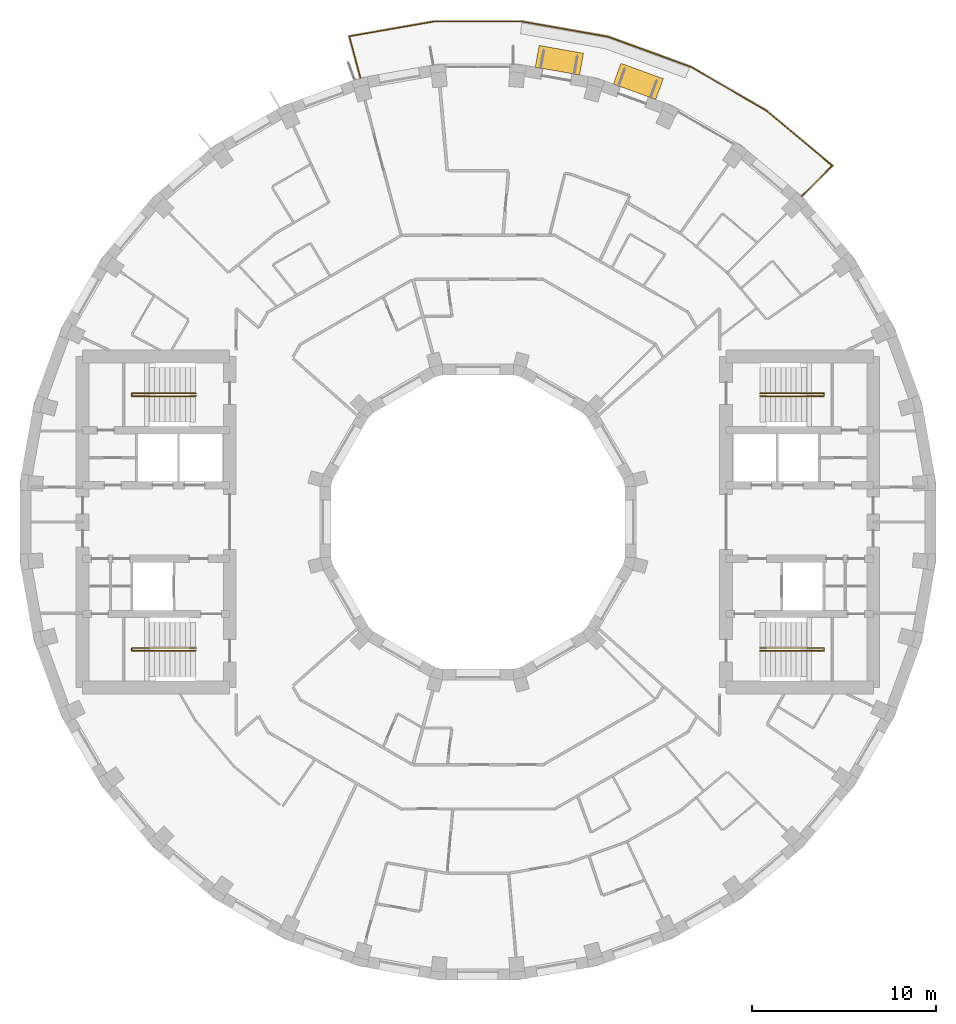
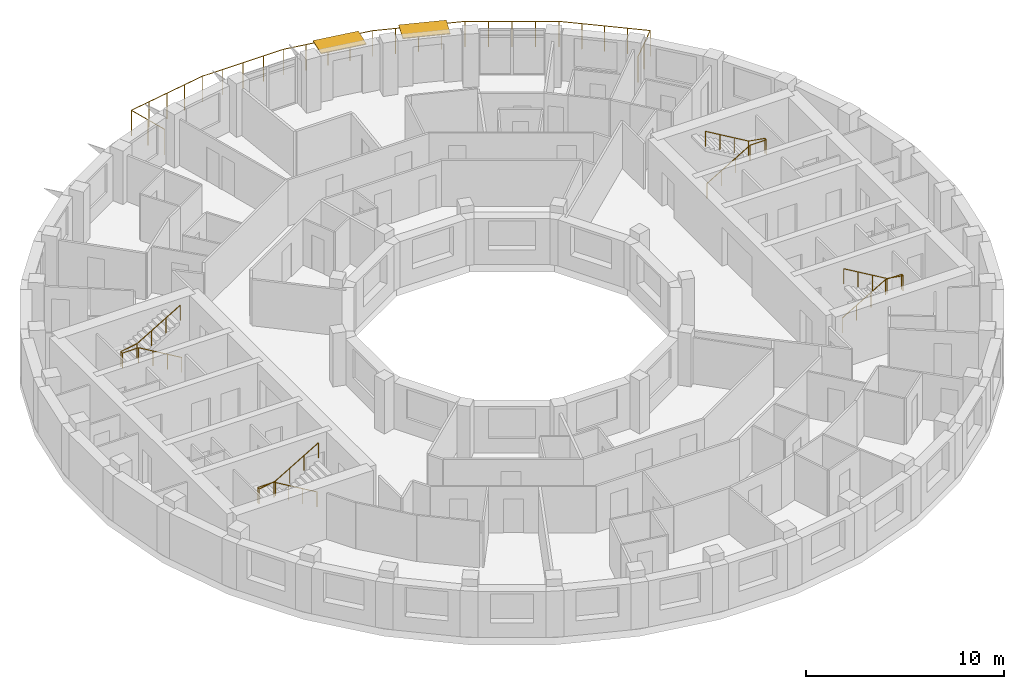
# One storey, part 13 of 13: 5 railings, 2 shading devices.
"""IFC4 building model written with IfcOpenShell, lengths in metres."""

from ifc_helpers import new_model, si_unit, direction, frame, origin, origin_2d, place, context, subcontext, project, spatial, rectangle, circle, extrude, material, layer, layer_set, type_object, element, save


model = new_model("IFC4")

# Units and contexts
model_context = context("Model", 3, precision=1e-05, world=origin(), true_north=direction((0.0, 1.0)))
body_context = subcontext(model_context, "Body", "Model", "MODEL_VIEW")
ifc_project = project(units=[si_unit("LENGTHUNIT", "METRE"), si_unit("AREAUNIT", "SQUARE_METRE"), si_unit("VOLUMEUNIT", "CUBIC_METRE"), si_unit("PLANEANGLEUNIT", "RADIAN"), si_unit("MASSUNIT", "GRAM", prefix="KILO")], contexts=[model_context])

# Site, building, storey
site_placement = place(None, origin())
site = spatial("IfcSite", under=ifc_project, at=site_placement, CompositionType="ELEMENT")
building_placement = place(site_placement, origin())
building = spatial("IfcBuilding", under=site, at=building_placement, Name="Saqina Gate Tower", CompositionType="ELEMENT")
storey_placement = place(building_placement, frame((0.0, 0.0, 207.0)))
storey = spatial("IfcBuildingStorey", under=building, at=storey_placement, Name="L59", CompositionType="ELEMENT", Elevation=207.0)

# Shading devices
ifc_material_1 = material(Name="Aluminium and fabric awning", Category="aluminium")
ifc_layer = layer(ifc_material_1, 0.050048828125)
ifc_layer_set = layer_set([ifc_layer], Name="AW-TERRACE")
shading_device_type = type_object("IfcShadingDeviceType", Name="AW-TERRACE", PredefinedType="AWNING", material=ifc_layer_set)
for number, where, z_axis, x_axis, name in (
    (1, (8.72314453125, 23.966796875, 2.52490234375), (0.0, 0.0, 1.0), (-0.939692620786, 0.342020143326, 0.0), "Terrace awning L59 facet 7"),
    (2, (4.428955078125, 25.117431640625, 2.52490234375), (0.0, 0.0, 1.0), (-0.984807753012, 0.173648177667, 0.0), "Terrace awning L59 facet 8"),
):
    element("IfcShadingDevice", number, at=place(storey_placement, frame(where, z_axis=z_axis, x_axis=x_axis)), inside=storey, type_object=shading_device_type, Name=name, PredefinedType="AWNING", context=body_context, shape_type="SweptSolid", body=[
        extrude(rectangle(XDim=2.44970703125, YDim=1.199951171875, at=origin_2d()), origin(), (0.0, 0.0, 1.0), 0.050048828125),
    ])

# Railings
ifc_material_2 = material(Name="Stainless steel", Category="steel")
railing_type_1 = type_object("IfcRailingType", Name="RL-TERRACE", PredefinedType="GUARDRAIL", material=ifc_material_2)
railing_1_placement = place(storey_placement, frame((17.57861328125, 17.69189453125, 0.0)))
element("IfcRailing", 3, at=railing_1_placement, inside=storey, type_object=railing_type_1, Name="Terrace guard L59", PredefinedType="GUARDRAIL", context=body_context, shape_type="SweptSolid", body=[
    extrude(circle(Radius=0.02392578125, at=origin_2d()), frame((0.0, 0.0, 1.576171875), z_axis=(0.707106781187, 0.707106781187, 0.0), x_axis=(-0.707106781187, 0.707106781187, 0.0)), (0.0, 0.0, 1.0), 2.388916015625),
    extrude(circle(Radius=0.02392578125, at=origin_2d()), frame((1.689208984375, 1.689208984375, 1.576171875), z_axis=(-0.767002243016, 0.641644418045, 0.0), x_axis=(-0.641644418045, -0.767002243016, 0.0)), (0.0, 0.0, 1.0), 4.683837890625),
    extrude(circle(Radius=0.02392578125, at=origin_2d()), frame((-1.9033203125, 4.694580078125, 1.576171875), z_axis=(-0.866026842905, 0.499997507361, 0.0), x_axis=(-0.499997507361, -0.866026842905, 0.0)), (0.0, 0.0, 1.0), 4.763671875),
    extrude(circle(Radius=0.02392578125, at=origin_2d()), frame((-6.02880859375, 7.076416015625, 1.576171875), z_axis=(-0.939688638318, 0.342031084868, 0.0), x_axis=(-0.342031084868, -0.939688638318, 0.0)), (0.0, 0.0, 1.0), 4.763916015625),
    extrude(circle(Radius=0.02392578125, at=origin_2d()), frame((-10.50537109375, 8.705810546875, 1.576171875), z_axis=(-0.98481037568, 0.173633303123, 0.0), x_axis=(-0.173633303123, -0.98481037568, 0.0)), (0.0, 0.0, 1.0), 4.763671875),
    extrude(circle(Radius=0.02392578125, at=origin_2d()), frame((-15.19677734375, 9.532958984375, 1.576171875), z_axis=(-1.0, 0.0, 0.0), x_axis=(0.0, -1.0, 0.0)), (0.0, 0.0, 1.0), 4.763671875),
    extrude(circle(Radius=0.02392578125, at=origin_2d()), frame((-19.96044921875, 9.532958984375, 1.576171875), z_axis=(-0.985070265823, -0.17215275598, 0.0), x_axis=(0.17215275598, -0.985070265823, 0.0)), (0.0, 0.0, 1.0), 4.68408203125),
    extrude(circle(Radius=0.02392578125, at=origin_2d()), frame((-24.57470703125, 8.7265625, 1.576171875), z_axis=(0.258851866296, -0.965917031279, 0.0), x_axis=(0.965917031279, 0.258851866296, 0.0)), (0.0, 0.0, 1.0), 2.38916015625),
    extrude(circle(Radius=0.02099609375, at=origin_2d()), origin(), (0.0, 0.0, 1.0), 1.552001953125),
    extrude(circle(Radius=0.02099609375, at=origin_2d()), frame((0.8447265625, 0.8447265625, 0.0)), (0.0, 0.0, 1.0), 1.552001953125),
    extrude(circle(Radius=0.02099609375, at=origin_2d()), frame((1.689208984375, 1.689208984375, 0.0)), (0.0, 0.0, 1.0), 1.552001953125),
    extrude(circle(Radius=0.02099609375, at=origin_2d()), frame((0.791015625, 2.4404296875, 0.0)), (0.0, 0.0, 1.0), 1.552001953125),
    extrude(circle(Radius=0.02099609375, at=origin_2d()), frame((-0.10693359375, 3.19189453125, 0.0)), (0.0, 0.0, 1.0), 1.552001953125),
    extrude(circle(Radius=0.02099609375, at=origin_2d()), frame((-1.005126953125, 3.943359375, 0.0)), (0.0, 0.0, 1.0), 1.552001953125),
    extrude(circle(Radius=0.02099609375, at=origin_2d()), frame((-1.9033203125, 4.694580078125, 0.0)), (0.0, 0.0, 1.0), 1.552001953125),
    extrude(circle(Radius=0.02099609375, at=origin_2d()), frame((-2.9345703125, 5.2900390625, 0.0)), (0.0, 0.0, 1.0), 1.552001953125),
    extrude(circle(Radius=0.02099609375, at=origin_2d()), frame((-3.966064453125, 5.885498046875, 0.0)), (0.0, 0.0, 1.0), 1.552001953125),
    extrude(circle(Radius=0.02099609375, at=origin_2d()), frame((-4.99755859375, 6.48095703125, 0.0)), (0.0, 0.0, 1.0), 1.552001953125),
    extrude(circle(Radius=0.02099609375, at=origin_2d()), frame((-6.02880859375, 7.076416015625, 0.0)), (0.0, 0.0, 1.0), 1.552001953125),
    extrude(circle(Radius=0.02099609375, at=origin_2d()), frame((-7.14794921875, 7.48388671875, 0.0)), (0.0, 0.0, 1.0), 1.552001953125),
    extrude(circle(Radius=0.02099609375, at=origin_2d()), frame((-8.26708984375, 7.89111328125, 0.0)), (0.0, 0.0, 1.0), 1.552001953125),
    extrude(circle(Radius=0.02099609375, at=origin_2d()), frame((-9.38623046875, 8.29833984375, 0.0)), (0.0, 0.0, 1.0), 1.552001953125),
    extrude(circle(Radius=0.02099609375, at=origin_2d()), frame((-10.50537109375, 8.705810546875, 0.0)), (0.0, 0.0, 1.0), 1.552001953125),
    extrude(circle(Radius=0.02099609375, at=origin_2d()), frame((-11.67822265625, 8.91259765625, 0.0)), (0.0, 0.0, 1.0), 1.552001953125),
    extrude(circle(Radius=0.02099609375, at=origin_2d()), frame((-12.85107421875, 9.119384765625, 0.0)), (0.0, 0.0, 1.0), 1.552001953125),
    extrude(circle(Radius=0.02099609375, at=origin_2d()), frame((-14.02392578125, 9.326171875, 0.0)), (0.0, 0.0, 1.0), 1.552001953125),
    extrude(circle(Radius=0.02099609375, at=origin_2d()), frame((-15.19677734375, 9.532958984375, 0.0)), (0.0, 0.0, 1.0), 1.552001953125),
    extrude(circle(Radius=0.02099609375, at=origin_2d()), frame((-16.3876953125, 9.532958984375, 0.0)), (0.0, 0.0, 1.0), 1.552001953125),
    extrude(circle(Radius=0.02099609375, at=origin_2d()), frame((-17.57861328125, 9.532958984375, 0.0)), (0.0, 0.0, 1.0), 1.552001953125),
    extrude(circle(Radius=0.02099609375, at=origin_2d()), frame((-18.76953125, 9.532958984375, 0.0)), (0.0, 0.0, 1.0), 1.552001953125),
    extrude(circle(Radius=0.02099609375, at=origin_2d()), frame((-19.96044921875, 9.532958984375, 0.0)), (0.0, 0.0, 1.0), 1.552001953125),
    extrude(circle(Radius=0.02099609375, at=origin_2d()), frame((-21.114013671875, 9.331298828125, 0.0)), (0.0, 0.0, 1.0), 1.552001953125),
    extrude(circle(Radius=0.02099609375, at=origin_2d()), frame((-22.267578125, 9.1298828125, 0.0)), (0.0, 0.0, 1.0), 1.552001953125),
    extrude(circle(Radius=0.02099609375, at=origin_2d()), frame((-23.421142578125, 8.92822265625, 0.0)), (0.0, 0.0, 1.0), 1.552001953125),
    extrude(circle(Radius=0.02099609375, at=origin_2d()), frame((-24.57470703125, 8.7265625, 0.0)), (0.0, 0.0, 1.0), 1.552001953125),
    extrude(circle(Radius=0.02099609375, at=origin_2d()), frame((-24.265625, 7.57275390625, 0.0)), (0.0, 0.0, 1.0), 1.552001953125),
    extrude(circle(Radius=0.02099609375, at=origin_2d()), frame((-23.956298828125, 6.4189453125, 0.0)), (0.0, 0.0, 1.0), 1.552001953125),
])
ifc_material_3 = material(Name="Stainless steel", Category="steel")
railing_type_2 = type_object("IfcRailingType", Name="STAIR HANDRAIL", PredefinedType="HANDRAIL", material=ifc_material_3)
railing_2_placement = place(storey_placement, frame((15.35009765625, 6.85009765625, 0.1650390625)))
element("IfcRailing", 4, at=railing_2_placement, inside=storey, type_object=railing_type_2, Name="EXIT STAIR 1 HANDRAIL", PredefinedType="HANDRAIL", context=body_context, shape_type="SweptSolid", body=[
    extrude(circle(Radius=0.02392578125, at=origin_2d()), frame((0.0, 0.0, 0.92578125), z_axis=(0.861560626758, 0.0, 0.507654692109), x_axis=(0.0, 1.0, 0.0)), (0.0, 0.0, 1.0), 2.925048828125),
    extrude(circle(Radius=0.02392578125, at=origin_2d()), frame((2.52001953125, 0.0, 2.41064453125), z_axis=(1.0, 0.0, 0.0), x_axis=(0.0, 1.0, 0.0)), (0.0, 0.0, 1.0), 0.949951171875),
    extrude(circle(Radius=0.02392578125, at=origin_2d()), frame((3.469970703125, 0.0, 2.41064453125), z_axis=(0.0, 1.0, 0.0), x_axis=(-1.0, 0.0, 0.0)), (0.0, 0.0, 1.0), 0.14990234375),
    extrude(circle(Radius=0.02392578125, at=origin_2d()), frame((3.469970703125, 0.14990234375, 2.41064453125), z_axis=(-0.985241474778, 0.0, 0.171170197109), x_axis=(0.0, -1.0, 0.0)), (0.0, 0.0, 1.0), 0.964111328125),
    extrude(circle(Radius=0.02392578125, at=origin_2d()), frame((2.52001953125, 0.14990234375, 2.57568359375), z_axis=(-0.86152411907, 0.0, 0.507716645641), x_axis=(0.0, -1.0, 0.0)), (0.0, 0.0, 1.0), 2.925048828125),
    extrude(circle(Radius=0.02099609375, at=origin_2d()), origin(), (0.0, 0.0, 1.0), 0.90185546875),
    extrude(circle(Radius=0.02099609375, at=origin_2d()), frame((0.840087890625, 0.0, 0.494873046875)), (0.0, 0.0, 1.0), 0.90185546875),
    extrude(circle(Radius=0.02099609375, at=origin_2d()), frame((1.679931640625, 0.0, 0.989990234375)), (0.0, 0.0, 1.0), 0.90185546875),
    extrude(circle(Radius=0.02099609375, at=origin_2d()), frame((2.52001953125, 0.0, 1.48486328125)), (0.0, 0.0, 1.0), 0.90185546875),
    extrude(circle(Radius=0.02099609375, at=origin_2d()), frame((3.469970703125, 0.0, 1.48486328125)), (0.0, 0.0, 1.0), 0.90185546875),
    extrude(circle(Radius=0.02099609375, at=origin_2d()), frame((3.469970703125, 0.14990234375, 1.48486328125)), (0.0, 0.0, 1.0), 0.90185546875),
    extrude(circle(Radius=0.02099609375, at=origin_2d()), frame((2.52001953125, 0.14990234375, 1.64990234375)), (0.0, 0.0, 1.0), 0.90185546875),
    extrude(circle(Radius=0.02099609375, at=origin_2d()), frame((1.679931640625, 0.14990234375, 2.14501953125)), (0.0, 0.0, 1.0), 0.90185546875),
    extrude(circle(Radius=0.02099609375, at=origin_2d()), frame((0.840087890625, 0.14990234375, 2.639892578125)), (0.0, 0.0, 1.0), 0.90185546875),
    extrude(circle(Radius=0.02099609375, at=origin_2d()), frame((0.0, 0.14990234375, 3.135009765625)), (0.0, 0.0, 1.0), 0.90185546875),
])
railing_3_placement = place(storey_placement, frame((15.35009765625, -6.85009765625, 0.1650390625)))
element("IfcRailing", 5, at=railing_3_placement, inside=storey, type_object=railing_type_2, Name="EXIT STAIR 2 HANDRAIL", PredefinedType="HANDRAIL", context=body_context, shape_type="SweptSolid", body=[
    extrude(circle(Radius=0.02392578125, at=origin_2d()), frame((0.0, 0.0, 0.92578125), z_axis=(0.861560626758, 0.0, 0.507654692109), x_axis=(0.0, 1.0, 0.0)), (0.0, 0.0, 1.0), 2.925048828125),
    extrude(circle(Radius=0.02392578125, at=origin_2d()), frame((2.52001953125, 0.0, 2.41064453125), z_axis=(1.0, 0.0, 0.0), x_axis=(0.0, 1.0, 0.0)), (0.0, 0.0, 1.0), 0.949951171875),
    extrude(circle(Radius=0.02392578125, at=origin_2d()), frame((3.469970703125, 0.0, 2.41064453125), z_axis=(0.0, -1.0, 0.0), x_axis=(1.0, 0.0, 0.0)), (0.0, 0.0, 1.0), 0.14990234375),
    extrude(circle(Radius=0.02392578125, at=origin_2d()), frame((3.469970703125, -0.14990234375, 2.41064453125), z_axis=(-0.985241474778, 0.0, 0.171170197109), x_axis=(0.0, -1.0, 0.0)), (0.0, 0.0, 1.0), 0.964111328125),
    extrude(circle(Radius=0.02392578125, at=origin_2d()), frame((2.52001953125, -0.14990234375, 2.57568359375), z_axis=(-0.86152411907, 0.0, 0.507716645641), x_axis=(0.0, -1.0, 0.0)), (0.0, 0.0, 1.0), 2.925048828125),
    extrude(circle(Radius=0.02099609375, at=origin_2d()), origin(), (0.0, 0.0, 1.0), 0.90185546875),
    extrude(circle(Radius=0.02099609375, at=origin_2d()), frame((0.840087890625, 0.0, 0.494873046875)), (0.0, 0.0, 1.0), 0.90185546875),
    extrude(circle(Radius=0.02099609375, at=origin_2d()), frame((1.679931640625, 0.0, 0.989990234375)), (0.0, 0.0, 1.0), 0.90185546875),
    extrude(circle(Radius=0.02099609375, at=origin_2d()), frame((2.52001953125, 0.0, 1.48486328125)), (0.0, 0.0, 1.0), 0.90185546875),
    extrude(circle(Radius=0.02099609375, at=origin_2d()), frame((3.469970703125, 0.0, 1.48486328125)), (0.0, 0.0, 1.0), 0.90185546875),
    extrude(circle(Radius=0.02099609375, at=origin_2d()), frame((3.469970703125, -0.14990234375, 1.48486328125)), (0.0, 0.0, 1.0), 0.90185546875),
    extrude(circle(Radius=0.02099609375, at=origin_2d()), frame((2.52001953125, -0.14990234375, 1.64990234375)), (0.0, 0.0, 1.0), 0.90185546875),
    extrude(circle(Radius=0.02099609375, at=origin_2d()), frame((1.679931640625, -0.14990234375, 2.14501953125)), (0.0, 0.0, 1.0), 0.90185546875),
    extrude(circle(Radius=0.02099609375, at=origin_2d()), frame((0.840087890625, -0.14990234375, 2.639892578125)), (0.0, 0.0, 1.0), 0.90185546875),
    extrude(circle(Radius=0.02099609375, at=origin_2d()), frame((0.0, -0.14990234375, 3.135009765625)), (0.0, 0.0, 1.0), 0.90185546875),
])
railing_4_placement = place(storey_placement, frame((-15.35009765625, 6.85009765625, 0.1650390625)))
element("IfcRailing", 6, at=railing_4_placement, inside=storey, type_object=railing_type_2, Name="EXIT STAIR 3 HANDRAIL", PredefinedType="HANDRAIL", context=body_context, shape_type="SweptSolid", body=[
    extrude(circle(Radius=0.02392578125, at=origin_2d()), frame((0.0, 0.0, 0.92578125), z_axis=(-0.861560626758, 0.0, 0.507654692109), x_axis=(0.0, -1.0, 0.0)), (0.0, 0.0, 1.0), 2.925048828125),
    extrude(circle(Radius=0.02392578125, at=origin_2d()), frame((-2.52001953125, 0.0, 2.41064453125), z_axis=(-1.0, 0.0, 0.0), x_axis=(0.0, -1.0, 0.0)), (0.0, 0.0, 1.0), 0.949951171875),
    extrude(circle(Radius=0.02392578125, at=origin_2d()), frame((-3.469970703125, 0.0, 2.41064453125), z_axis=(0.0, 1.0, 0.0), x_axis=(-1.0, 0.0, 0.0)), (0.0, 0.0, 1.0), 0.14990234375),
    extrude(circle(Radius=0.02392578125, at=origin_2d()), frame((-3.469970703125, 0.14990234375, 2.41064453125), z_axis=(0.985241474778, 0.0, 0.171170197109), x_axis=(0.0, 1.0, 0.0)), (0.0, 0.0, 1.0), 0.964111328125),
    extrude(circle(Radius=0.02392578125, at=origin_2d()), frame((-2.52001953125, 0.14990234375, 2.57568359375), z_axis=(0.86152411907, 0.0, 0.507716645641), x_axis=(0.0, 1.0, 0.0)), (0.0, 0.0, 1.0), 2.925048828125),
    extrude(circle(Radius=0.02099609375, at=origin_2d()), origin(), (0.0, 0.0, 1.0), 0.90185546875),
    extrude(circle(Radius=0.02099609375, at=origin_2d()), frame((-0.840087890625, 0.0, 0.494873046875)), (0.0, 0.0, 1.0), 0.90185546875),
    extrude(circle(Radius=0.02099609375, at=origin_2d()), frame((-1.679931640625, 0.0, 0.989990234375)), (0.0, 0.0, 1.0), 0.90185546875),
    extrude(circle(Radius=0.02099609375, at=origin_2d()), frame((-2.52001953125, 0.0, 1.48486328125)), (0.0, 0.0, 1.0), 0.90185546875),
    extrude(circle(Radius=0.02099609375, at=origin_2d()), frame((-3.469970703125, 0.0, 1.48486328125)), (0.0, 0.0, 1.0), 0.90185546875),
    extrude(circle(Radius=0.02099609375, at=origin_2d()), frame((-3.469970703125, 0.14990234375, 1.48486328125)), (0.0, 0.0, 1.0), 0.90185546875),
    extrude(circle(Radius=0.02099609375, at=origin_2d()), frame((-2.52001953125, 0.14990234375, 1.64990234375)), (0.0, 0.0, 1.0), 0.90185546875),
    extrude(circle(Radius=0.02099609375, at=origin_2d()), frame((-1.679931640625, 0.14990234375, 2.14501953125)), (0.0, 0.0, 1.0), 0.90185546875),
    extrude(circle(Radius=0.02099609375, at=origin_2d()), frame((-0.840087890625, 0.14990234375, 2.639892578125)), (0.0, 0.0, 1.0), 0.90185546875),
    extrude(circle(Radius=0.02099609375, at=origin_2d()), frame((0.0, 0.14990234375, 3.135009765625)), (0.0, 0.0, 1.0), 0.90185546875),
])
railing_5_placement = place(storey_placement, frame((-15.35009765625, -6.85009765625, 0.1650390625)))
element("IfcRailing", 7, at=railing_5_placement, inside=storey, type_object=railing_type_2, Name="EXIT STAIR 4 HANDRAIL", PredefinedType="HANDRAIL", context=body_context, shape_type="SweptSolid", body=[
    extrude(circle(Radius=0.02392578125, at=origin_2d()), frame((0.0, 0.0, 0.92578125), z_axis=(-0.861560626758, 0.0, 0.507654692109), x_axis=(0.0, -1.0, 0.0)), (0.0, 0.0, 1.0), 2.925048828125),
    extrude(circle(Radius=0.02392578125, at=origin_2d()), frame((-2.52001953125, 0.0, 2.41064453125), z_axis=(-1.0, 0.0, 0.0), x_axis=(0.0, -1.0, 0.0)), (0.0, 0.0, 1.0), 0.949951171875),
    extrude(circle(Radius=0.02392578125, at=origin_2d()), frame((-3.469970703125, 0.0, 2.41064453125), z_axis=(0.0, -1.0, 0.0), x_axis=(1.0, 0.0, 0.0)), (0.0, 0.0, 1.0), 0.14990234375),
    extrude(circle(Radius=0.02392578125, at=origin_2d()), frame((-3.469970703125, -0.14990234375, 2.41064453125), z_axis=(0.985241474778, 0.0, 0.171170197109), x_axis=(0.0, 1.0, 0.0)), (0.0, 0.0, 1.0), 0.964111328125),
    extrude(circle(Radius=0.02392578125, at=origin_2d()), frame((-2.52001953125, -0.14990234375, 2.57568359375), z_axis=(0.86152411907, 0.0, 0.507716645641), x_axis=(0.0, 1.0, 0.0)), (0.0, 0.0, 1.0), 2.925048828125),
    extrude(circle(Radius=0.02099609375, at=origin_2d()), origin(), (0.0, 0.0, 1.0), 0.90185546875),
    extrude(circle(Radius=0.02099609375, at=origin_2d()), frame((-0.840087890625, 0.0, 0.494873046875)), (0.0, 0.0, 1.0), 0.90185546875),
    extrude(circle(Radius=0.02099609375, at=origin_2d()), frame((-1.679931640625, 0.0, 0.989990234375)), (0.0, 0.0, 1.0), 0.90185546875),
    extrude(circle(Radius=0.02099609375, at=origin_2d()), frame((-2.52001953125, 0.0, 1.48486328125)), (0.0, 0.0, 1.0), 0.90185546875),
    extrude(circle(Radius=0.02099609375, at=origin_2d()), frame((-3.469970703125, 0.0, 1.48486328125)), (0.0, 0.0, 1.0), 0.90185546875),
    extrude(circle(Radius=0.02099609375, at=origin_2d()), frame((-3.469970703125, -0.14990234375, 1.48486328125)), (0.0, 0.0, 1.0), 0.90185546875),
    extrude(circle(Radius=0.02099609375, at=origin_2d()), frame((-2.52001953125, -0.14990234375, 1.64990234375)), (0.0, 0.0, 1.0), 0.90185546875),
    extrude(circle(Radius=0.02099609375, at=origin_2d()), frame((-1.679931640625, -0.14990234375, 2.14501953125)), (0.0, 0.0, 1.0), 0.90185546875),
    extrude(circle(Radius=0.02099609375, at=origin_2d()), frame((-0.840087890625, -0.14990234375, 2.639892578125)), (0.0, 0.0, 1.0), 0.90185546875),
    extrude(circle(Radius=0.02099609375, at=origin_2d()), frame((0.0, -0.14990234375, 3.135009765625)), (0.0, 0.0, 1.0), 0.90185546875),
])

save(model, "model.ifc")
